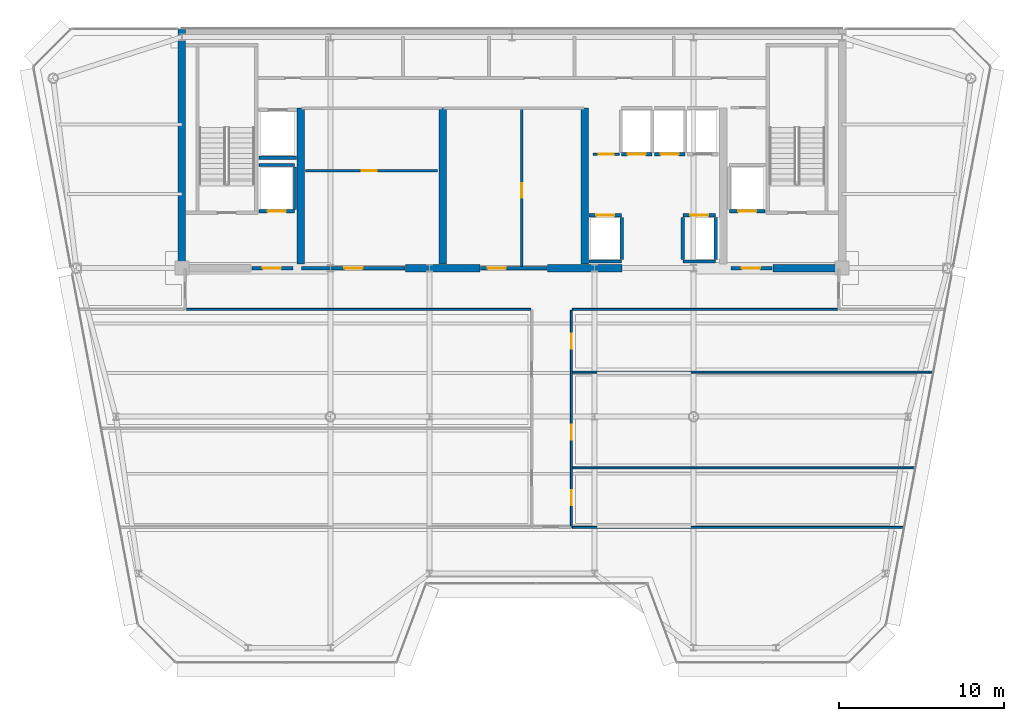
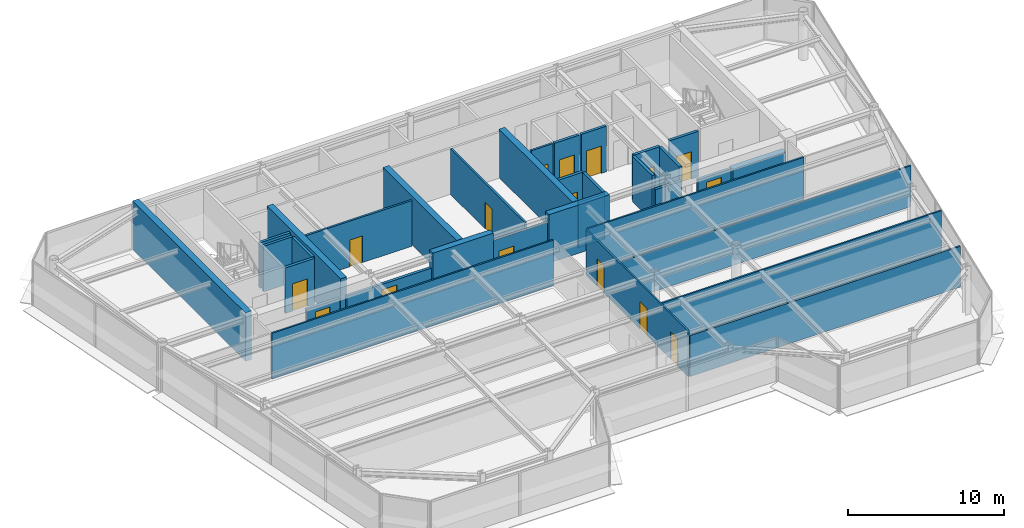
# One storey, part 11 of 20: 34 walls, 16 doors, 16 openings.
"""IFC4 building model written with IfcOpenShell, lengths in metres."""

from ifc_helpers import new_model, si_unit, direction, frame, frame_2d, origin, place, context, subcontext, project, spatial, rectangle, extrude, source, transform, mapped, material, layer, layer_set, type_object, element, fill, save


model = new_model("IFC4")

# Units and contexts
model_context = context("Model", 3, precision=1e-05, world=origin(), true_north=direction((0.0, 1.0)))
body_context = subcontext(model_context, "Body", "Model", "MODEL_VIEW")
ifc_project = project(units=[si_unit("LENGTHUNIT", "METRE"), si_unit("AREAUNIT", "SQUARE_METRE"), si_unit("VOLUMEUNIT", "CUBIC_METRE"), si_unit("PLANEANGLEUNIT", "RADIAN"), si_unit("MASSUNIT", "GRAM", prefix="KILO")], contexts=[model_context])

# Site, building, storey
site_placement = place(None, origin())
site = spatial("IfcSite", under=ifc_project, at=site_placement, CompositionType="ELEMENT")
building_placement = place(site_placement, origin())
building = spatial("IfcBuilding", under=site, at=building_placement, Name="Vaeldorn Concourse Tower", CompositionType="ELEMENT")
storey_placement = place(building_placement, frame((0.0, 0.0, 280.199951171875)))
storey = spatial("IfcBuildingStorey", under=building, at=storey_placement, Name="L72", CompositionType="ELEMENT", Elevation=280.199951171875)

# Walls
ifc_material_1 = material(Name="Concrete C50/60", Category="concrete")
ifc_layer_1 = layer(ifc_material_1, 0.449951171875)
ifc_layer_set_1 = layer_set([ifc_layer_1], Name="Concrete C50/60")
wall_type_1 = type_object("IfcWallType", Name="WL-CORE-450", PredefinedType="SHEAR", material=ifc_layer_set_1)
wall_1_placement = place(storey_placement, frame((14.0, 36.5, 0.0), z_axis=(0.0, 0.0, 1.0), x_axis=(0.0, 1.0, 0.0)))
element("IfcWall", 1, at=wall_1_placement, inside=storey, type_object=wall_type_1, Name="Rear Core Shear Wall L72 W1", PredefinedType="SHEAR", context=body_context, shape_type="SweptSolid", body=[
    extrude(rectangle(XDim=14.5, YDim=0.449951171875, at=frame_2d((7.25, 0.0))), origin(), (0.0, 0.0, 1.0), 3.800048828125),
])
for number, where, z_axis, x_axis, name in (
    (2, (27.550048828125, 36.5, 0.0), (0.0, 0.0, 1.0), (1.0, 0.0, 0.0), "Rear Core Shear Wall L72 S2"),
    (3, (36.14990234375, 36.5, 0.0), (0.0, 0.0, 1.0), (1.0, 0.0, 0.0), "Rear Core Shear Wall L72 S3"),
):
    element("IfcWall", number, at=place(storey_placement, frame(where, z_axis=z_axis, x_axis=x_axis)), inside=storey, type_object=wall_type_1, Name=name, PredefinedType="SHEAR", context=body_context, shape_type="SweptSolid", body=[
        extrude(rectangle(XDim=4.5, YDim=0.449951171875, at=frame_2d((2.25, 0.0))), origin(), (0.0, 0.0, 1.0), 3.800048828125),
    ])
wall_2_placement = place(storey_placement, frame((49.800048828125, 36.5, 0.0), z_axis=(0.0, 0.0, 1.0), x_axis=(1.0, 0.0, 0.0)))
element("IfcWall", 4, at=wall_2_placement, inside=storey, type_object=wall_type_1, Name="Rear Core Shear Wall L72 S4", PredefinedType="SHEAR", context=body_context, shape_type="SweptSolid", body=[
    extrude(rectangle(XDim=3.954833984375, YDim=0.449951171875, at=frame_2d((1.9775390625, 0.0))), origin(), (0.0, 0.0, 1.0), 2.580078125),
])
for number, where, z_axis, x_axis, name in (
    (5, (21.199951171875, 36.7451171875, 0.0), (0.0, 0.0, 1.0), (0.0, 1.0, 0.0), "Rear Core Shear Wall L72 M1"),
    (6, (29.800048828125, 36.7451171875, 0.0), (0.0, 0.0, 1.0), (0.0, 1.0, 0.0), "Rear Core Shear Wall L72 M2"),
    (7, (38.39990234375, 36.7451171875, 0.0), (0.0, 0.0, 1.0), (0.0, 1.0, 0.0), "Rear Core Shear Wall L72 M3"),
):
    element("IfcWall", number, at=place(storey_placement, frame(where, z_axis=z_axis, x_axis=x_axis)), inside=storey, type_object=wall_type_1, Name=name, PredefinedType="SHEAR", context=body_context, shape_type="SweptSolid", body=[
        extrude(rectangle(XDim=9.454833984375, YDim=0.449951171875, at=frame_2d((4.7275390625, 0.0))), origin(), (0.0, 0.0, 1.0), 3.800048828125),
    ])
ifc_material_2 = material(Name="Gypsum Board Partition", Category="gypsum")
ifc_layer_2 = layer(ifc_material_2, 0.1201171875)
ifc_layer_set_2 = layer_set([ifc_layer_2], Name="Gypsum Board Partition")
wall_type_2 = type_object("IfcWallType", Name="WL-PART-120", PredefinedType="PARTITIONING", material=ifc_layer_set_2)
wall_3_placement = place(storey_placement, frame((14.260009765625, 34.0, 0.0), z_axis=(0.0, 0.0, 1.0), x_axis=(1.0, 0.0, 0.0)))
element("IfcWall", 8, at=wall_3_placement, inside=storey, type_object=wall_type_2, Name="Interior Wall PW-L72-C3SW", PredefinedType="PARTITIONING", context=body_context, shape_type="SweptSolid", body=[
    extrude(rectangle(XDim=20.8798828125, YDim=0.1201171875, at=frame_2d((10.43994140625, 0.0))), origin(), (0.0, 0.0, 1.0), 3.580078125),
])
wall_4_placement = place(storey_placement, frame((37.659912109375, 34.0, 0.0), z_axis=(0.0, 0.0, 1.0), x_axis=(1.0, 0.0, 0.0)))
element("IfcWall", 9, at=wall_4_placement, inside=storey, type_object=wall_type_2, Name="Interior Wall PW-L72-C3SE", PredefinedType="PARTITIONING", context=body_context, shape_type="SweptSolid", body=[
    extrude(rectangle(XDim=16.080078125, YDim=0.1201171875, at=frame_2d((8.0400390625, 0.0))), origin(), (0.0, 0.0, 1.0), 3.580078125),
])

# Wall, openings, doors
wall_5_placement = place(storey_placement, frame((37.60009765625, 20.800048828125, 0.0), z_axis=(0.0, 0.0, 1.0), x_axis=(0.0, 1.0, 0.0)))
wall_5 = element("IfcWall", 10, at=wall_5_placement, inside=storey, type_object=wall_type_2, Name="Interior Wall PW-L72-CSPE", PredefinedType="PARTITIONING", context=body_context, shape_type="SweptSolid", body=[
    extrude(rectangle(XDim=13.139892578125, YDim=0.1201171875, at=frame_2d((6.56982421875, 0.0))), origin(), (0.0, 0.0, 1.0), 3.580078125),
])
opening_1_placement = place(wall_5_placement, frame((1.35009765625, 0.0, 0.0)))
opening_1 = element("IfcOpeningElement", 11, at=opening_1_placement, cuts=wall_5, Name="Opening D-03", PredefinedType="OPENING", context=body_context, shape_type="SweptSolid", body=[
    extrude(rectangle(XDim=0.89990234375, YDim=2.14990234375, at=frame_2d((0.449951171875, 1.074951171875))), frame((0.0, 0.070068359375, 0.0), z_axis=(0.0, -1.0, 0.0), x_axis=(1.0, 0.0, 0.0)), (0.0, 0.0, 1.0), 0.14013671875),
])
opening_2_placement = place(wall_5_placement, frame((5.300048828125, 0.0, 0.0)))
opening_2 = element("IfcOpeningElement", 12, at=opening_2_placement, cuts=wall_5, Name="Opening D-03", PredefinedType="OPENING", context=body_context, shape_type="SweptSolid", body=[
    extrude(rectangle(XDim=0.89990234375, YDim=2.14990234375, at=frame_2d((0.449951171875, 1.074951171875))), frame((0.0, 0.070068359375, 0.0), z_axis=(0.0, -1.0, 0.0), x_axis=(1.0, 0.0, 0.0)), (0.0, 0.0, 1.0), 0.14013671875),
])
opening_3_placement = place(wall_5_placement, frame((10.820068359375, 0.0, 0.0)))
opening_3 = element("IfcOpeningElement", 13, at=opening_3_placement, cuts=wall_5, Name="Opening D-03", PredefinedType="OPENING", context=body_context, shape_type="SweptSolid", body=[
    extrude(rectangle(XDim=0.89990234375, YDim=2.14990234375, at=frame_2d((0.449951171875, 1.074951171875))), frame((0.0, 0.070068359375, 0.0), z_axis=(0.0, -1.0, 0.0), x_axis=(1.0, 0.0, 0.0)), (0.0, 0.0, 1.0), 0.14013671875),
])
ifc_material_3 = material(Name="Acoustic Bronze-Framed Glass Door", Category="glass")
door_type_1 = type_object("IfcDoorType", Name="DR-INT-900", OperationType="NOTDEFINED", PredefinedType="DOOR", material=ifc_material_3)
shared_shape_1 = source(origin(), body_context, "Body", "SweptSolid", [
    extrude(rectangle(XDim=0.89990234375, YDim=2.14990234375, at=frame_2d((0.449951171875, 1.074951171875))), frame((0.0, 0.02490234375, 0.0), z_axis=(0.0, -1.0, 0.0), x_axis=(1.0, 0.0, 0.0)), (0.0, 0.0, 1.0), 0.050048828125),
])
door_1_placement = place(opening_1_placement, origin())
door_1 = element("IfcDoor", 14, at=door_1_placement, inside=storey, type_object=door_type_1, Name="Interior Door DR-L72-Z3E1", OperationType="SINGLE_SWING_RIGHT", OverallHeight=2.14990234375, OverallWidth=0.89990234375, PredefinedType="DOOR", context=body_context, shape_type="MappedRepresentation", body=[
    mapped(shared_shape_1, transform((0.0, 0.0, 0.0), scale=1.0)),
])
fill(opening_1, door_1)
door_2_placement = place(opening_2_placement, origin())
door_2 = element("IfcDoor", 15, at=door_2_placement, inside=storey, type_object=door_type_1, Name="Interior Door DR-L72-Z3E2", OperationType="SINGLE_SWING_LEFT", OverallHeight=2.14990234375, OverallWidth=0.89990234375, PredefinedType="DOOR", context=body_context, shape_type="MappedRepresentation", body=[
    mapped(shared_shape_1, transform((0.0, 0.0, 0.0), scale=1.0)),
])
fill(opening_2, door_2)
door_3_placement = place(opening_3_placement, origin())
door_3 = element("IfcDoor", 16, at=door_3_placement, inside=storey, type_object=door_type_1, Name="Interior Door DR-L72-Z3E3", OperationType="SINGLE_SWING_RIGHT", OverallHeight=2.14990234375, OverallWidth=0.89990234375, PredefinedType="DOOR", context=body_context, shape_type="MappedRepresentation", body=[
    mapped(shared_shape_1, transform((0.0, 0.0, 0.0), scale=1.0)),
])
fill(opening_3, door_3)

# Walls
wall_6_placement = place(storey_placement, frame((37.659912109375, 24.39990234375, 0.0), z_axis=(0.0, 0.0, 1.0), x_axis=(1.0, 0.0, 0.0)))
element("IfcWall", 17, at=wall_6_placement, inside=storey, type_object=wall_type_2, Name="Interior Wall PW-L72-Z3EY1", PredefinedType="PARTITIONING", context=body_context, shape_type="SweptSolid", body=[
    extrude(rectangle(XDim=20.744873046875, YDim=0.1201171875, at=frame_2d((10.37255859375, 0.0))), origin(), (0.0, 0.0, 1.0), 3.580078125),
])
wall_7_placement = place(storey_placement, frame((37.659912109375, 30.199951171875, 0.0), z_axis=(0.0, 0.0, 1.0), x_axis=(1.0, 0.0, 0.0)))
element("IfcWall", 18, at=wall_7_placement, inside=storey, type_object=wall_type_2, Name="Interior Wall PW-L72-Z3EY2", PredefinedType="PARTITIONING", context=body_context, shape_type="SweptSolid", body=[
    extrude(rectangle(XDim=21.832275390625, YDim=0.1201171875, at=frame_2d((10.916015625, 0.0))), origin(), (0.0, 0.0, 1.0), 3.2099609375),
])
wall_8_placement = place(storey_placement, frame((37.659912109375, 20.800048828125, 0.0), z_axis=(0.0, 0.0, 1.0), x_axis=(1.0, 0.0, 0.0)))
element("IfcWall", 19, at=wall_8_placement, inside=storey, type_object=wall_type_2, Name="Interior Wall PW-L72-Z3SEL", PredefinedType="PARTITIONING", context=body_context, shape_type="SweptSolid", body=[
    extrude(rectangle(XDim=20.070068359375, YDim=0.1201171875, at=frame_2d((10.03515625, 0.0))), origin(), (0.0, 0.0, 1.0), 3.2099609375),
])

# Wall, opening, door
ifc_layer_3 = layer(ifc_material_2, 0.14990234375)
ifc_layer_set_3 = layer_set([ifc_layer_3], Name="Gypsum Board Partition")
wall_type_3 = type_object("IfcWallType", Name="WL-PART-150", PredefinedType="PARTITIONING", material=ifc_layer_set_3)
wall_9_placement = place(storey_placement, frame((21.5, 42.39990234375, 0.0), z_axis=(0.0, 0.0, 1.0), x_axis=(1.0, 0.0, 0.0)))
wall_9 = element("IfcWall", 20, at=wall_9_placement, inside=storey, type_object=wall_type_3, Name="Interior Wall CW-L72-R1M", PredefinedType="PARTITIONING", context=body_context, shape_type="SweptSolid", body=[
    extrude(rectangle(XDim=8.0, YDim=0.14990234375, at=frame_2d((4.0, 0.0))), origin(), (0.0, 0.0, 1.0), 3.580078125),
])
opening_4_placement = place(wall_9_placement, frame((3.39990234375, 0.0, 0.0)))
opening_4 = element("IfcOpeningElement", 21, at=opening_4_placement, cuts=wall_9, Name="Opening D-02", PredefinedType="OPENING", context=body_context, shape_type="SweptSolid", body=[
    extrude(rectangle(XDim=0.89990234375, YDim=2.10009765625, at=frame_2d((0.449951171875, 1.050048828125))), frame((0.0, 0.0849609375, 0.0), z_axis=(0.0, -1.0, 0.0), x_axis=(1.0, 0.0, 0.0)), (0.0, 0.0, 1.0), 0.169921875),
])
ifc_material_4 = material(Name="Fire-Rated Timber Leaf", Category="wood")
door_type_2 = type_object("IfcDoorType", Name="DR-FD30-900", OperationType="NOTDEFINED", PredefinedType="DOOR", material=ifc_material_4)
shared_shape_2 = source(origin(), body_context, "Body", "SweptSolid", [
    extrude(rectangle(XDim=0.89990234375, YDim=2.10009765625, at=frame_2d((0.449951171875, 1.050048828125))), frame((0.0, 0.02490234375, 0.0), z_axis=(0.0, -1.0, 0.0), x_axis=(1.0, 0.0, 0.0)), (0.0, 0.0, 1.0), 0.050048828125),
])
door_4_placement = place(opening_4_placement, origin())
door_4 = element("IfcDoor", 22, at=door_4_placement, inside=storey, type_object=door_type_2, Name="Interior Door DR-L72-R1M", OperationType="SINGLE_SWING_RIGHT", OverallHeight=2.10009765625, OverallWidth=0.89990234375, PredefinedType="DOOR", context=body_context, shape_type="MappedRepresentation", body=[
    mapped(shared_shape_2, transform((0.0, 0.0, 0.0), scale=1.0)),
])
fill(opening_4, door_4)

wall_10_placement = place(storey_placement, frame((34.60009765625, 36.56005859375, 0.0), z_axis=(0.0, 0.0, 1.0), x_axis=(0.0, 1.0, 0.0)))
wall_10 = element("IfcWall", 23, at=wall_10_placement, inside=storey, type_object=wall_type_3, Name="Interior Wall CW-L72-R2M", PredefinedType="PARTITIONING", context=body_context, shape_type="SweptSolid", body=[
    extrude(rectangle(XDim=9.579833984375, YDim=0.14990234375, at=frame_2d((4.7900390625, 0.0))), origin(), (0.0, 0.0, 1.0), 3.580078125),
])
opening_5_placement = place(wall_10_placement, frame((4.199951171875, 0.0, 0.0)))
opening_5 = element("IfcOpeningElement", 24, at=opening_5_placement, cuts=wall_10, Name="Opening D-02", PredefinedType="OPENING", context=body_context, shape_type="SweptSolid", body=[
    extrude(rectangle(XDim=0.89990234375, YDim=2.10009765625, at=frame_2d((0.449951171875, 1.050048828125))), frame((0.0, 0.0849609375, 0.0), z_axis=(0.0, -1.0, 0.0), x_axis=(1.0, 0.0, 0.0)), (0.0, 0.0, 1.0), 0.169921875),
])
door_5_placement = place(opening_5_placement, origin())
door_5 = element("IfcDoor", 25, at=door_5_placement, inside=storey, type_object=door_type_2, Name="Interior Door DR-L72-R2E", OperationType="SINGLE_SWING_RIGHT", OverallHeight=2.10009765625, OverallWidth=0.89990234375, PredefinedType="DOOR", context=body_context, shape_type="MappedRepresentation", body=[
    mapped(shared_shape_2, transform((0.0, 0.0, 0.0), scale=1.0)),
])
fill(opening_5, door_5)

wall_11_placement = place(storey_placement, frame((38.919921875, 43.39990234375, 0.0), z_axis=(0.0, 0.0, 1.0), x_axis=(1.0, 0.0, 0.0)))
wall_11 = element("IfcWall", 26, at=wall_11_placement, inside=storey, type_object=wall_type_3, Name="Interior Wall CW-L72-CCLINK", PredefinedType="PARTITIONING", context=body_context, shape_type="SweptSolid", body=[
    extrude(rectangle(XDim=1.60009765625, YDim=0.14990234375, at=frame_2d((0.800048828125, 0.0))), origin(), (0.0, 0.0, 1.0), 3.580078125),
])
opening_6_placement = place(wall_11_placement, frame((0.35009765625, 0.0, 0.0)))
opening_6 = element("IfcOpeningElement", 27, at=opening_6_placement, cuts=wall_11, Name="Opening D-02", PredefinedType="OPENING", context=body_context, shape_type="SweptSolid", body=[
    extrude(rectangle(XDim=0.89990234375, YDim=2.10009765625, at=frame_2d((0.449951171875, 1.050048828125))), frame((0.0, 0.0849609375, 0.0), z_axis=(0.0, -1.0, 0.0), x_axis=(1.0, 0.0, 0.0)), (0.0, 0.0, 1.0), 0.169921875),
])
door_6_placement = place(opening_6_placement, origin())
door_6 = element("IfcDoor", 28, at=door_6_placement, inside=storey, type_object=door_type_2, Name="Interior Door DR-L72-CCLINK", OperationType="SINGLE_SWING_LEFT", OverallHeight=2.10009765625, OverallWidth=0.89990234375, PredefinedType="DOOR", context=body_context, shape_type="MappedRepresentation", body=[
    mapped(shared_shape_2, transform((0.0, 0.0, 0.0), scale=1.0)),
])
fill(opening_6, door_6)

ifc_layer_4 = layer(ifc_material_1, 0.199951171875)
ifc_layer_set_4 = layer_set([ifc_layer_4], Name="Concrete C50/60")
wall_type_4 = type_object("IfcWallType", Name="WL-SHAFT-200", PredefinedType="SOLIDWALL", material=ifc_layer_set_4)
wall_12_placement = place(storey_placement, frame((18.25, 36.5, 0.0), z_axis=(0.0, 0.0, 1.0), x_axis=(1.0, 0.0, 0.0)))
wall_12 = element("IfcWall", 29, at=wall_12_placement, inside=storey, type_object=wall_type_4, Name="Interior Wall CW-L72-FF1S", PredefinedType="SOLIDWALL", context=body_context, shape_type="SweptSolid", body=[
    extrude(rectangle(XDim=2.469970703125, YDim=0.199951171875, at=frame_2d((1.23486328125, 0.0))), origin(), (0.0, 0.0, 1.0), 2.570068359375),
])
opening_7_placement = place(wall_12_placement, frame((0.64990234375, 0.0, 0.0)))
opening_7 = element("IfcOpeningElement", 30, at=opening_7_placement, cuts=wall_12, Name="Opening D-01", PredefinedType="OPENING", context=body_context, shape_type="SweptSolid", body=[
    extrude(rectangle(XDim=1.10009765625, YDim=2.14990234375, at=frame_2d((0.550048828125, 1.074951171875))), frame((0.0, 0.10986328125, 0.0), z_axis=(0.0, -1.0, 0.0), x_axis=(1.0, 0.0, 0.0)), (0.0, 0.0, 1.0), 0.219970703125),
])
ifc_material_5 = material(Name="Fire-Rated Timber and Steel Leaf", Category="steel")
door_type_3 = type_object("IfcDoorType", Name="DR-FD60-1100", OperationType="NOTDEFINED", PredefinedType="DOOR", material=ifc_material_5)
shared_shape_3 = source(origin(), body_context, "Body", "SweptSolid", [
    extrude(rectangle(XDim=1.10009765625, YDim=2.14990234375, at=frame_2d((0.550048828125, 1.074951171875))), frame((0.0, 0.02490234375, 0.0), z_axis=(0.0, -1.0, 0.0), x_axis=(1.0, 0.0, 0.0)), (0.0, 0.0, 1.0), 0.050048828125),
])
door_7_placement = place(opening_7_placement, origin())
door_7 = element("IfcDoor", 31, at=door_7_placement, inside=storey, type_object=door_type_3, Name="Interior Door DR-L72-FF1E", OperationType="SINGLE_SWING_RIGHT", OverallHeight=2.14990234375, OverallWidth=1.10009765625, PredefinedType="DOOR", context=body_context, shape_type="MappedRepresentation", body=[
    mapped(shared_shape_3, transform((0.0, 0.0, 0.0), scale=1.0)),
])
fill(opening_7, door_7)

wall_13_placement = place(storey_placement, frame((47.280029296875, 36.5, 0.0), z_axis=(0.0, 0.0, 1.0), x_axis=(1.0, 0.0, 0.0)))
wall_13 = element("IfcWall", 32, at=wall_13_placement, inside=storey, type_object=wall_type_4, Name="Interior Wall CW-L72-FF2S", PredefinedType="SOLIDWALL", context=body_context, shape_type="SweptSolid", body=[
    extrude(rectangle(XDim=2.469970703125, YDim=0.199951171875, at=frame_2d((1.23486328125, 0.0))), origin(), (0.0, 0.0, 1.0), 2.570068359375),
])
opening_8_placement = place(wall_13_placement, frame((0.64990234375, 0.0, 0.0)))
opening_8 = element("IfcOpeningElement", 33, at=opening_8_placement, cuts=wall_13, Name="Opening D-01", PredefinedType="OPENING", context=body_context, shape_type="SweptSolid", body=[
    extrude(rectangle(XDim=1.10009765625, YDim=2.14990234375, at=frame_2d((0.550048828125, 1.074951171875))), frame((0.0, 0.10986328125, 0.0), z_axis=(0.0, -1.0, 0.0), x_axis=(1.0, 0.0, 0.0)), (0.0, 0.0, 1.0), 0.219970703125),
])
door_8_placement = place(opening_8_placement, origin())
door_8 = element("IfcDoor", 34, at=door_8_placement, inside=storey, type_object=door_type_3, Name="Interior Door DR-L72-FF2W", OperationType="SINGLE_SWING_LEFT", OverallHeight=2.14990234375, OverallWidth=1.10009765625, PredefinedType="DOOR", context=body_context, shape_type="MappedRepresentation", body=[
    mapped(shared_shape_3, transform((0.0, 0.0, 0.0), scale=1.0)),
])
fill(opening_8, door_8)

wall_14_placement = place(storey_placement, frame((38.669921875, 39.699951171875, 0.0), z_axis=(0.0, 0.0, 1.0), x_axis=(1.0, 0.0, 0.0)))
wall_14 = element("IfcWall", 35, at=wall_14_placement, inside=storey, type_object=wall_type_4, Name="Interior Wall CW-L72-LF-LF-13", PredefinedType="SOLIDWALL", context=body_context, shape_type="SweptSolid", body=[
    extrude(rectangle(XDim=1.9599609375, YDim=0.199951171875, at=frame_2d((0.97998046875, 0.0))), origin(), (0.0, 0.0, 1.0), 3.580078125),
])
opening_9_placement = place(wall_14_placement, frame((0.429931640625, 0.0, 0.0)))
opening_9 = element("IfcOpeningElement", 36, at=opening_9_placement, cuts=wall_14, Name="Opening LD-1", PredefinedType="OPENING", context=body_context, shape_type="SweptSolid", body=[
    extrude(rectangle(XDim=1.10009765625, YDim=2.14990234375, at=frame_2d((0.550048828125, 1.074951171875))), frame((0.0, 0.10986328125, 0.0), z_axis=(0.0, -1.0, 0.0), x_axis=(1.0, 0.0, 0.0)), (0.0, 0.0, 1.0), 0.219970703125),
])
ifc_material_6 = material(Name="Anodised Bronze Aluminium", Category="aluminium")
door_type_4 = type_object("IfcDoorType", Name="DR-LIFT-SLIDE-1100", OperationType="DOUBLE_DOOR_SLIDING", PredefinedType="DOOR", material=ifc_material_6)
door_9_placement = place(opening_9_placement, origin())
door_9 = element("IfcDoor", 37, at=door_9_placement, inside=storey, type_object=door_type_4, Name="Lift Landing Door LD-L72-LF-13", OperationType="DOUBLE_DOOR_SLIDING", OverallHeight=2.14990234375, OverallWidth=1.10009765625, PredefinedType="DOOR", context=body_context, shape_type="MappedRepresentation", body=[
    mapped(shared_shape_3, transform((0.0, 0.0, 0.0), scale=1.0)),
])
fill(opening_9, door_9)

# Walls
wall_15_placement = place(storey_placement, frame((38.669921875, 36.89990234375, 0.0), z_axis=(0.0, 0.0, 1.0), x_axis=(1.0, 0.0, 0.0)))
element("IfcWall", 38, at=wall_15_placement, inside=storey, type_object=wall_type_4, Name="Interior Wall CW-L72-LFB-LF-13", PredefinedType="SOLIDWALL", context=body_context, shape_type="SweptSolid", body=[
    extrude(rectangle(XDim=1.9599609375, YDim=0.199951171875, at=frame_2d((0.97998046875, 0.0))), origin(), (0.0, 0.0, 1.0), 3.580078125),
])
wall_16_placement = place(storey_placement, frame((40.64990234375, 37.02001953125, 0.0), z_axis=(0.0, 0.0, 1.0), x_axis=(0.0, 1.0, 0.0)))
element("IfcWall", 39, at=wall_16_placement, inside=storey, type_object=wall_type_4, Name="Interior Wall CW-L72-LFE-LF-13", PredefinedType="SOLIDWALL", context=body_context, shape_type="SweptSolid", body=[
    extrude(rectangle(XDim=2.56005859375, YDim=0.199951171875, at=frame_2d((1.280029296875, 0.0))), origin(), (0.0, 0.0, 1.0), 3.580078125),
])

# Wall, opening, door
wall_17_placement = place(storey_placement, frame((44.3701171875, 39.699951171875, 0.0), z_axis=(0.0, 0.0, 1.0), x_axis=(1.0, 0.0, 0.0)))
wall_17 = element("IfcWall", 40, at=wall_17_placement, inside=storey, type_object=wall_type_4, Name="Interior Wall CW-L72-LF-LF-14", PredefinedType="SOLIDWALL", context=body_context, shape_type="SweptSolid", body=[
    extrude(rectangle(XDim=1.9599609375, YDim=0.199951171875, at=frame_2d((0.97998046875, 0.0))), origin(), (0.0, 0.0, 1.0), 3.580078125),
])
opening_10_placement = place(wall_17_placement, frame((0.429931640625, 0.0, 0.0)))
opening_10 = element("IfcOpeningElement", 41, at=opening_10_placement, cuts=wall_17, Name="Opening LD-1", PredefinedType="OPENING", context=body_context, shape_type="SweptSolid", body=[
    extrude(rectangle(XDim=1.10009765625, YDim=2.14990234375, at=frame_2d((0.550048828125, 1.074951171875))), frame((0.0, 0.10986328125, 0.0), z_axis=(0.0, -1.0, 0.0), x_axis=(1.0, 0.0, 0.0)), (0.0, 0.0, 1.0), 0.219970703125),
])
door_10_placement = place(opening_10_placement, origin())
door_10 = element("IfcDoor", 42, at=door_10_placement, inside=storey, type_object=door_type_4, Name="Lift Landing Door LD-L72-LF-14", OperationType="DOUBLE_DOOR_SLIDING", OverallHeight=2.14990234375, OverallWidth=1.10009765625, PredefinedType="DOOR", context=body_context, shape_type="MappedRepresentation", body=[
    mapped(shared_shape_3, transform((0.0, 0.0, 0.0), scale=1.0)),
])
fill(opening_10, door_10)

# Walls
wall_18_placement = place(storey_placement, frame((44.3701171875, 36.89990234375, 0.0), z_axis=(0.0, 0.0, 1.0), x_axis=(1.0, 0.0, 0.0)))
element("IfcWall", 43, at=wall_18_placement, inside=storey, type_object=wall_type_4, Name="Interior Wall CW-L72-LFB-LF-14", PredefinedType="SOLIDWALL", context=body_context, shape_type="SweptSolid", body=[
    extrude(rectangle(XDim=1.9599609375, YDim=0.199951171875, at=frame_2d((0.97998046875, 0.0))), origin(), (0.0, 0.0, 1.0), 2.570068359375),
])
for number, where, z_axis, x_axis, name in (
    (44, (44.35009765625, 37.02001953125, 0.0), (0.0, 0.0, 1.0), (0.0, 1.0, 0.0), "Interior Wall CW-L72-LFW-LF-14"),
    (45, (46.35009765625, 37.02001953125, 0.0), (0.0, 0.0, 1.0), (0.0, 1.0, 0.0), "Interior Wall CW-L72-LFE-LF-14"),
):
    element("IfcWall", number, at=place(storey_placement, frame(where, z_axis=z_axis, x_axis=x_axis)), inside=storey, type_object=wall_type_4, Name=name, PredefinedType="SOLIDWALL", context=body_context, shape_type="SweptSolid", body=[
        extrude(rectangle(XDim=2.56005859375, YDim=0.199951171875, at=frame_2d((1.280029296875, 0.0))), origin(), (0.0, 0.0, 1.0), 3.580078125),
    ])

# Wall, opening, door
wall_19_placement = place(storey_placement, frame((40.6201171875, 43.39990234375, 0.0), z_axis=(0.0, 0.0, 1.0), x_axis=(1.0, 0.0, 0.0)))
wall_19 = element("IfcWall", 46, at=wall_19_placement, inside=storey, type_object=wall_type_4, Name="Interior Wall CW-L72-LF-LF-15", PredefinedType="SOLIDWALL", context=body_context, shape_type="SweptSolid", body=[
    extrude(rectangle(XDim=1.85986328125, YDim=0.199951171875, at=frame_2d((0.929931640625, 0.0))), origin(), (0.0, 0.0, 1.0), 3.580078125),
])
opening_11_placement = place(wall_19_placement, frame((0.3798828125, 0.0, 0.0)))
opening_11 = element("IfcOpeningElement", 47, at=opening_11_placement, cuts=wall_19, Name="Opening LD-1", PredefinedType="OPENING", context=body_context, shape_type="SweptSolid", body=[
    extrude(rectangle(XDim=1.10009765625, YDim=2.14990234375, at=frame_2d((0.550048828125, 1.074951171875))), frame((0.0, 0.10986328125, 0.0), z_axis=(0.0, -1.0, 0.0), x_axis=(1.0, 0.0, 0.0)), (0.0, 0.0, 1.0), 0.219970703125),
])
door_11_placement = place(opening_11_placement, origin())
door_11 = element("IfcDoor", 48, at=door_11_placement, inside=storey, type_object=door_type_4, Name="Lift Landing Door LD-L72-LF-15", OperationType="DOUBLE_DOOR_SLIDING", OverallHeight=2.14990234375, OverallWidth=1.10009765625, PredefinedType="DOOR", context=body_context, shape_type="MappedRepresentation", body=[
    mapped(shared_shape_3, transform((0.0, 0.0, 0.0), scale=1.0)),
])
fill(opening_11, door_11)

wall_20_placement = place(storey_placement, frame((42.6201171875, 43.39990234375, 0.0), z_axis=(0.0, 0.0, 1.0), x_axis=(1.0, 0.0, 0.0)))
wall_20 = element("IfcWall", 49, at=wall_20_placement, inside=storey, type_object=wall_type_4, Name="Interior Wall CW-L72-LF-LF-16", PredefinedType="SOLIDWALL", context=body_context, shape_type="SweptSolid", body=[
    extrude(rectangle(XDim=1.85986328125, YDim=0.199951171875, at=frame_2d((0.929931640625, 0.0))), origin(), (0.0, 0.0, 1.0), 3.580078125),
])
opening_12_placement = place(wall_20_placement, frame((0.3798828125, 0.0, 0.0)))
opening_12 = element("IfcOpeningElement", 50, at=opening_12_placement, cuts=wall_20, Name="Opening LD-1", PredefinedType="OPENING", context=body_context, shape_type="SweptSolid", body=[
    extrude(rectangle(XDim=1.10009765625, YDim=2.14990234375, at=frame_2d((0.550048828125, 1.074951171875))), frame((0.0, 0.10986328125, 0.0), z_axis=(0.0, -1.0, 0.0), x_axis=(1.0, 0.0, 0.0)), (0.0, 0.0, 1.0), 0.219970703125),
])
door_12_placement = place(opening_12_placement, origin())
door_12 = element("IfcDoor", 51, at=door_12_placement, inside=storey, type_object=door_type_4, Name="Lift Landing Door LD-L72-LF-16", OperationType="DOUBLE_DOOR_SLIDING", OverallHeight=2.14990234375, OverallWidth=1.10009765625, PredefinedType="DOOR", context=body_context, shape_type="MappedRepresentation", body=[
    mapped(shared_shape_3, transform((0.0, 0.0, 0.0), scale=1.0)),
])
fill(opening_12, door_12)

# Wall
wall_21_placement = place(storey_placement, frame((18.669921875, 43.199951171875, 0.0), z_axis=(0.0, 0.0, 1.0), x_axis=(1.0, 0.0, 0.0)))
element("IfcWall", 52, at=wall_21_placement, inside=storey, type_object=wall_type_4, Name="Interior Wall CW-L72-LFB-LF-SV1", PredefinedType="SOLIDWALL", context=body_context, shape_type="SweptSolid", body=[
    extrude(rectangle(XDim=2.260009765625, YDim=0.199951171875, at=frame_2d((1.1298828125, 0.0))), origin(), (0.0, 0.0, 1.0), 3.580078125),
])

# Wall, opening, door
wall_22_placement = place(storey_placement, frame((18.669921875, 39.949951171875, 0.0), z_axis=(0.0, 0.0, 1.0), x_axis=(1.0, 0.0, 0.0)))
wall_22 = element("IfcWall", 53, at=wall_22_placement, inside=storey, type_object=wall_type_4, Name="Interior Wall CW-L72-LF-LF-FF1", PredefinedType="SOLIDWALL", context=body_context, shape_type="SweptSolid", body=[
    extrude(rectangle(XDim=2.16015625, YDim=0.199951171875, at=frame_2d((1.080078125, 0.0))), origin(), (0.0, 0.0, 1.0), 3.580078125),
])
opening_13_placement = place(wall_22_placement, frame((0.530029296875, 0.0, 0.0)))
opening_13 = element("IfcOpeningElement", 54, at=opening_13_placement, cuts=wall_22, Name="Opening LD-1", PredefinedType="OPENING", context=body_context, shape_type="SweptSolid", body=[
    extrude(rectangle(XDim=1.10009765625, YDim=2.14990234375, at=frame_2d((0.550048828125, 1.074951171875))), frame((0.0, 0.10986328125, 0.0), z_axis=(0.0, -1.0, 0.0), x_axis=(1.0, 0.0, 0.0)), (0.0, 0.0, 1.0), 0.219970703125),
])
door_13_placement = place(opening_13_placement, origin())
door_13 = element("IfcDoor", 55, at=door_13_placement, inside=storey, type_object=door_type_4, Name="Lift Landing Door LD-L72-LF-FF1", OperationType="DOUBLE_DOOR_SLIDING", OverallHeight=2.14990234375, OverallWidth=1.10009765625, PredefinedType="DOOR", context=body_context, shape_type="MappedRepresentation", body=[
    mapped(shared_shape_3, transform((0.0, 0.0, 0.0), scale=1.0)),
])
fill(opening_13, door_13)

# Walls
wall_23_placement = place(storey_placement, frame((18.669921875, 42.75, 0.0), z_axis=(0.0, 0.0, 1.0), x_axis=(1.0, 0.0, 0.0)))
element("IfcWall", 56, at=wall_23_placement, inside=storey, type_object=wall_type_4, Name="Interior Wall CW-L72-LFB-LF-FF1", PredefinedType="SOLIDWALL", context=body_context, shape_type="SweptSolid", body=[
    extrude(rectangle(XDim=2.16015625, YDim=0.199951171875, at=frame_2d((1.080078125, 0.0))), origin(), (0.0, 0.0, 1.0), 3.580078125),
])
wall_24_placement = place(storey_placement, frame((20.85009765625, 40.070068359375, 0.0), z_axis=(0.0, 0.0, 1.0), x_axis=(0.0, 1.0, 0.0)))
element("IfcWall", 57, at=wall_24_placement, inside=storey, type_object=wall_type_4, Name="Interior Wall CW-L72-LFE-LF-FF1", PredefinedType="SOLIDWALL", context=body_context, shape_type="SweptSolid", body=[
    extrude(rectangle(XDim=2.559814453125, YDim=0.199951171875, at=frame_2d((1.27978515625, 0.0))), origin(), (0.0, 0.0, 1.0), 3.580078125),
])

# Wall, opening, door
wall_25_placement = place(storey_placement, frame((47.169921875, 39.949951171875, 0.0), z_axis=(0.0, 0.0, 1.0), x_axis=(1.0, 0.0, 0.0)))
wall_25 = element("IfcWall", 58, at=wall_25_placement, inside=storey, type_object=wall_type_4, Name="Interior Wall CW-L72-LF-LF-FF2", PredefinedType="SOLIDWALL", context=body_context, shape_type="SweptSolid", body=[
    extrude(rectangle(XDim=2.16015625, YDim=0.199951171875, at=frame_2d((1.080078125, 0.0))), origin(), (0.0, 0.0, 1.0), 3.580078125),
])
opening_14_placement = place(wall_25_placement, frame((0.530029296875, 0.0, 0.0)))
opening_14 = element("IfcOpeningElement", 59, at=opening_14_placement, cuts=wall_25, Name="Opening LD-1", PredefinedType="OPENING", context=body_context, shape_type="SweptSolid", body=[
    extrude(rectangle(XDim=1.10009765625, YDim=2.14990234375, at=frame_2d((0.550048828125, 1.074951171875))), frame((0.0, 0.10986328125, 0.0), z_axis=(0.0, -1.0, 0.0), x_axis=(1.0, 0.0, 0.0)), (0.0, 0.0, 1.0), 0.219970703125),
])
door_14_placement = place(opening_14_placement, origin())
door_14 = element("IfcDoor", 60, at=door_14_placement, inside=storey, type_object=door_type_4, Name="Lift Landing Door LD-L72-LF-FF2", OperationType="DOUBLE_DOOR_SLIDING", OverallHeight=2.14990234375, OverallWidth=1.10009765625, PredefinedType="DOOR", context=body_context, shape_type="MappedRepresentation", body=[
    mapped(shared_shape_3, transform((0.0, 0.0, 0.0), scale=1.0)),
])
fill(opening_14, door_14)

wall_26_placement = place(storey_placement, frame((21.25, 36.5, 0.0), z_axis=(0.0, 0.0, 1.0), x_axis=(1.0, 0.0, 0.0)))
wall_26 = element("IfcWall", 61, at=wall_26_placement, inside=storey, type_object=wall_type_4, Name="Interior Wall CW-L72-R1S", PredefinedType="SOLIDWALL", context=body_context, shape_type="SweptSolid", body=[
    extrude(rectangle(XDim=6.27001953125, YDim=0.199951171875, at=frame_2d((3.135009765625, 0.0))), origin(), (0.0, 0.0, 1.0), 2.570068359375),
])
opening_15_placement = place(wall_26_placement, frame((2.60009765625, 0.0, 0.0)))
opening_15 = element("IfcOpeningElement", 62, at=opening_15_placement, cuts=wall_26, Name="Opening D-01", PredefinedType="OPENING", context=body_context, shape_type="SweptSolid", body=[
    extrude(rectangle(XDim=1.10009765625, YDim=2.14990234375, at=frame_2d((0.550048828125, 1.074951171875))), frame((0.0, 0.10986328125, 0.0), z_axis=(0.0, -1.0, 0.0), x_axis=(1.0, 0.0, 0.0)), (0.0, 0.0, 1.0), 0.219970703125),
])
door_15_placement = place(opening_15_placement, origin())
door_15 = element("IfcDoor", 63, at=door_15_placement, inside=storey, type_object=door_type_3, Name="Interior Door DR-L72-R1S", OperationType="SINGLE_SWING_LEFT", OverallHeight=2.14990234375, OverallWidth=1.10009765625, PredefinedType="DOOR", context=body_context, shape_type="MappedRepresentation", body=[
    mapped(shared_shape_3, transform((0.0, 0.0, 0.0), scale=1.0)),
])
fill(opening_15, door_15)

wall_27_placement = place(storey_placement, frame((32.080078125, 36.5, 0.0), z_axis=(0.0, 0.0, 1.0), x_axis=(1.0, 0.0, 0.0)))
wall_27 = element("IfcWall", 64, at=wall_27_placement, inside=storey, type_object=wall_type_4, Name="Interior Wall CW-L72-R2S", PredefinedType="SOLIDWALL", context=body_context, shape_type="SweptSolid", body=[
    extrude(rectangle(XDim=4.0400390625, YDim=0.199951171875, at=frame_2d((2.02001953125, 0.0))), origin(), (0.0, 0.0, 1.0), 3.1201171875),
])
opening_16_placement = place(wall_27_placement, frame((0.449951171875, 0.0, 0.0)))
opening_16 = element("IfcOpeningElement", 65, at=opening_16_placement, cuts=wall_27, Name="Opening D-01", PredefinedType="OPENING", context=body_context, shape_type="SweptSolid", body=[
    extrude(rectangle(XDim=1.10009765625, YDim=2.14990234375, at=frame_2d((0.550048828125, 1.074951171875))), frame((0.0, 0.10986328125, 0.0), z_axis=(0.0, -1.0, 0.0), x_axis=(1.0, 0.0, 0.0)), (0.0, 0.0, 1.0), 0.219970703125),
])
door_16_placement = place(opening_16_placement, origin())
door_16 = element("IfcDoor", 66, at=door_16_placement, inside=storey, type_object=door_type_3, Name="Interior Door DR-L72-R2W", OperationType="SINGLE_SWING_LEFT", OverallHeight=2.14990234375, OverallWidth=1.10009765625, PredefinedType="DOOR", context=body_context, shape_type="MappedRepresentation", body=[
    mapped(shared_shape_3, transform((0.0, 0.0, 0.0), scale=1.0)),
])
fill(opening_16, door_16)

save(model, "model.ifc")
